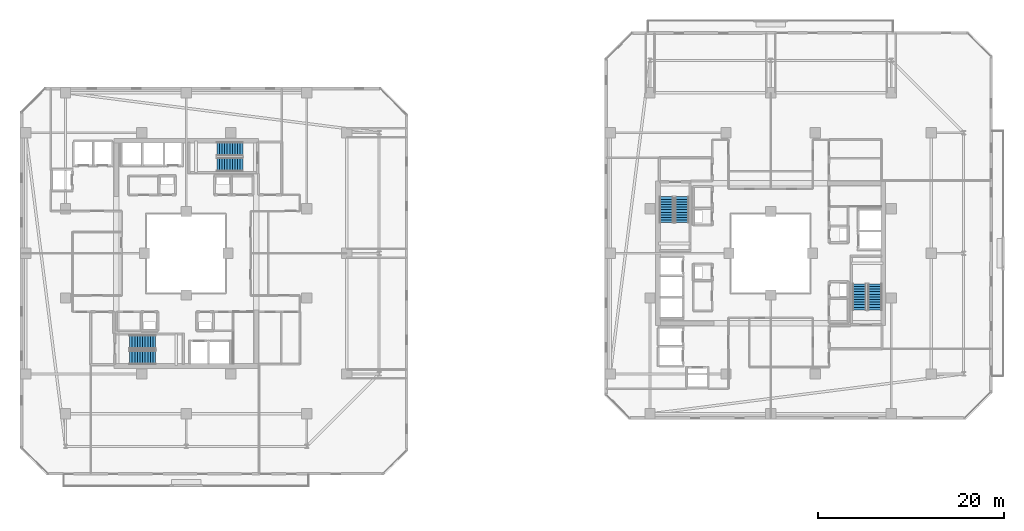
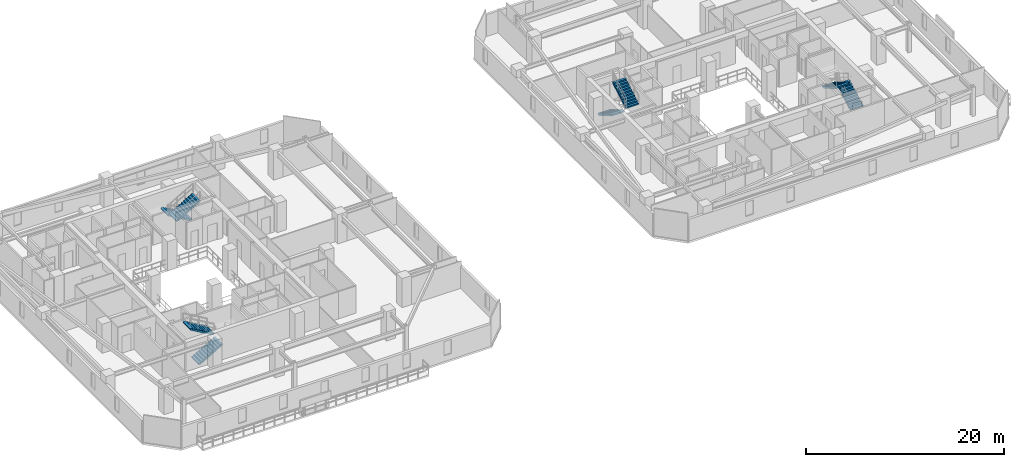
# One storey, part 27 of 33: 8 stair flights, 4 elements without a shape of their own.
"""IFC4 building model written with IfcOpenShell, lengths in metres."""

from ifc_helpers import new_model, si_unit, direction, frame, origin, place, context, subcontext, project, spatial, polyline, outline, extrude, material, type_object, element, aggregate, save


model = new_model("IFC4")

# Units and contexts
model_context = context("Model", 3, precision=1e-05, world=origin(), true_north=direction((0.0, 1.0)))
body_context = subcontext(model_context, "Body", "Model", "MODEL_VIEW")
ifc_project = project(units=[si_unit("LENGTHUNIT", "METRE"), si_unit("AREAUNIT", "SQUARE_METRE"), si_unit("VOLUMEUNIT", "CUBIC_METRE"), si_unit("PLANEANGLEUNIT", "RADIAN"), si_unit("MASSUNIT", "GRAM", prefix="KILO")], contexts=[model_context])

# Site, building, storey
site_placement = place(None, origin())
site = spatial("IfcSite", under=ifc_project, at=site_placement, CompositionType="ELEMENT")
building_placement = place(site_placement, origin())
building = spatial("IfcBuilding", under=site, at=building_placement, Name="Thornwick Lancets Civic Towers", CompositionType="ELEMENT")
storey_placement = place(building_placement, frame((0.0, 0.0, 167.10009765625)))
storey = spatial("IfcBuildingStorey", under=building, at=storey_placement, Name="L44", CompositionType="ELEMENT", Elevation=167.10009765625)

# Stair, stair flights
ifc_material = material(Name="Concrete C40/50", Category="concrete")
stair_type = type_object("IfcStairType", Name="STAIR_DL_3600", PredefinedType="HALF_TURN_STAIR", material=ifc_material)
stair_1_placement = place(storey_placement, origin())
stair_1 = element("IfcStair", 1, at=stair_1_placement, inside=storey, type_object=stair_type, Name="L44 Tower A South Exit Stair ST-A1", PredefinedType="HALF_TURN_STAIR")
stair_flight_type = type_object("IfcStairFlightType", Name="FLIGHT_3600", PredefinedType="STRAIGHT", material=ifc_material)
stair_flight_1_placement = place(storey_placement, frame((19.39990234375, 15.75, 0.0), z_axis=(0.0, 0.0, 1.0), x_axis=(1.0, 0.0, 0.0)))
stair_flight_1 = element("IfcStairFlight", 2, at=stair_flight_1_placement, type_object=stair_flight_type, Name="ST-A1 flight 1", NumberOfRisers=11, NumberOfTreads=10, PredefinedType="STRAIGHT", RiserHeight=0.163636364, TreadLength=0.28, context=body_context, shape_type="SweptSolid", body=[
    extrude(outline(polyline([(0.0, 0.0), (0.0, 0.16357421875), (0.280029296875, 0.16357421875), (0.280029296875, 0.327392578125), (0.56005859375, 0.327392578125), (0.56005859375, 0.490966796875), (0.840087890625, 0.490966796875), (0.840087890625, 0.654541015625), (1.1201171875, 0.654541015625), (1.1201171875, 0.818115234375), (1.39990234375, 0.818115234375), (1.39990234375, 0.98193359375), (1.679931640625, 0.98193359375), (1.679931640625, 1.1455078125), (1.9599609375, 1.1455078125), (1.9599609375, 1.30908203125), (2.239990234375, 1.30908203125), (2.239990234375, 1.47265625), (2.52001953125, 1.47265625), (2.52001953125, 1.636474609375), (2.800048828125, 1.636474609375), (2.800048828125, 1.800048828125), (2.800048828125, 1.462646484375), (0.297119140625, 0.0), (0.0, 0.0)])), frame((0.0, 0.75, 0.0), z_axis=(0.0, -1.0, 0.0), x_axis=(1.0, 0.0, 0.0)), (0.0, 0.0, 1.0), 1.5),
])
stair_flight_2_placement = place(storey_placement, frame((22.199951171875, 17.449951171875, 1.7998046875), z_axis=(0.0, 0.0, 1.0), x_axis=(-1.0, 0.0, 0.0)))
stair_flight_2 = element("IfcStairFlight", 3, at=stair_flight_2_placement, type_object=stair_flight_type, Name="ST-A1 flight 2", NumberOfRisers=11, NumberOfTreads=10, PredefinedType="STRAIGHT", RiserHeight=0.163636364, TreadLength=0.28, context=body_context, shape_type="SweptSolid", body=[
    extrude(outline(polyline([(0.0, 0.0), (0.0, 0.16357421875), (0.280029296875, 0.16357421875), (0.280029296875, 0.327392578125), (0.56005859375, 0.327392578125), (0.56005859375, 0.490966796875), (0.840087890625, 0.490966796875), (0.840087890625, 0.654541015625), (1.1201171875, 0.654541015625), (1.1201171875, 0.818115234375), (1.39990234375, 0.818115234375), (1.39990234375, 0.98193359375), (1.679931640625, 0.98193359375), (1.679931640625, 1.1455078125), (1.9599609375, 1.1455078125), (1.9599609375, 1.30908203125), (2.239990234375, 1.30908203125), (2.239990234375, 1.47265625), (2.52001953125, 1.47265625), (2.52001953125, 1.636474609375), (2.800048828125, 1.636474609375), (2.800048828125, 1.800048828125), (2.800048828125, 1.462646484375), (0.297119140625, 0.0), (0.0, 0.0)])), frame((0.0, 0.75, 0.0), z_axis=(0.0, -1.0, 0.0), x_axis=(1.0, 0.0, 0.0)), (0.0, 0.0, 1.0), 1.5),
])
aggregate(stair_1, [stair_flight_1, stair_flight_2])

stair_2_placement = place(storey_placement, origin())
stair_2 = element("IfcStair", 4, at=stair_2_placement, inside=storey, type_object=stair_type, Name="L44 Tower A North Exit Stair ST-A2", PredefinedType="HALF_TURN_STAIR")
stair_flight_3_placement = place(storey_placement, frame((31.60009765625, 38.25, 0.0), z_axis=(0.0, 0.0, 1.0), x_axis=(-1.0, 0.0, 0.0)))
stair_flight_3 = element("IfcStairFlight", 5, at=stair_flight_3_placement, type_object=stair_flight_type, Name="ST-A2 flight 1", NumberOfRisers=11, NumberOfTreads=10, PredefinedType="STRAIGHT", RiserHeight=0.163636364, TreadLength=0.28, context=body_context, shape_type="SweptSolid", body=[
    extrude(outline(polyline([(0.0, 0.0), (0.0, 0.16357421875), (0.280029296875, 0.16357421875), (0.280029296875, 0.327392578125), (0.56005859375, 0.327392578125), (0.56005859375, 0.490966796875), (0.840087890625, 0.490966796875), (0.840087890625, 0.654541015625), (1.1201171875, 0.654541015625), (1.1201171875, 0.818115234375), (1.39990234375, 0.818115234375), (1.39990234375, 0.98193359375), (1.679931640625, 0.98193359375), (1.679931640625, 1.1455078125), (1.9599609375, 1.1455078125), (1.9599609375, 1.30908203125), (2.239990234375, 1.30908203125), (2.239990234375, 1.47265625), (2.52001953125, 1.47265625), (2.52001953125, 1.636474609375), (2.800048828125, 1.636474609375), (2.800048828125, 1.800048828125), (2.800048828125, 1.462646484375), (0.297119140625, 0.0), (0.0, 0.0)])), frame((0.0, 0.75, 0.0), z_axis=(0.0, -1.0, 0.0), x_axis=(1.0, 0.0, 0.0)), (0.0, 0.0, 1.0), 1.5),
])
stair_flight_4_placement = place(storey_placement, frame((28.800048828125, 36.550048828125, 1.7998046875), z_axis=(0.0, 0.0, 1.0), x_axis=(1.0, 0.0, 0.0)))
stair_flight_4 = element("IfcStairFlight", 6, at=stair_flight_4_placement, type_object=stair_flight_type, Name="ST-A2 flight 2", NumberOfRisers=11, NumberOfTreads=10, PredefinedType="STRAIGHT", RiserHeight=0.163636364, TreadLength=0.28, context=body_context, shape_type="SweptSolid", body=[
    extrude(outline(polyline([(0.0, 0.0), (0.0, 0.16357421875), (0.280029296875, 0.16357421875), (0.280029296875, 0.327392578125), (0.56005859375, 0.327392578125), (0.56005859375, 0.490966796875), (0.840087890625, 0.490966796875), (0.840087890625, 0.654541015625), (1.1201171875, 0.654541015625), (1.1201171875, 0.818115234375), (1.39990234375, 0.818115234375), (1.39990234375, 0.98193359375), (1.679931640625, 0.98193359375), (1.679931640625, 1.1455078125), (1.9599609375, 1.1455078125), (1.9599609375, 1.30908203125), (2.239990234375, 1.30908203125), (2.239990234375, 1.47265625), (2.52001953125, 1.47265625), (2.52001953125, 1.636474609375), (2.800048828125, 1.636474609375), (2.800048828125, 1.800048828125), (2.800048828125, 1.462646484375), (0.297119140625, 0.0), (0.0, 0.0)])), frame((0.0, 0.75, 0.0), z_axis=(0.0, -1.0, 0.0), x_axis=(1.0, 0.0, 0.0)), (0.0, 0.0, 1.0), 1.5),
])
aggregate(stair_2, [stair_flight_3, stair_flight_4])

stair_3_placement = place(storey_placement, origin())
stair_3 = element("IfcStair", 7, at=stair_3_placement, inside=storey, type_object=stair_type, Name="L44 Tower B East Exit Stair ST-B1", PredefinedType="HALF_TURN_STAIR")
stair_flight_5_placement = place(storey_placement, frame((99.75, 20.89990234375, 0.0), z_axis=(0.0, 0.0, 1.0), x_axis=(0.0, 1.0, 0.0)))
stair_flight_5 = element("IfcStairFlight", 8, at=stair_flight_5_placement, type_object=stair_flight_type, Name="ST-B1 flight 1", NumberOfRisers=11, NumberOfTreads=10, PredefinedType="STRAIGHT", RiserHeight=0.163636364, TreadLength=0.28, context=body_context, shape_type="SweptSolid", body=[
    extrude(outline(polyline([(0.0, 0.0), (0.0, 0.16357421875), (0.280029296875, 0.16357421875), (0.280029296875, 0.327392578125), (0.56005859375, 0.327392578125), (0.56005859375, 0.490966796875), (0.840087890625, 0.490966796875), (0.840087890625, 0.654541015625), (1.1201171875, 0.654541015625), (1.1201171875, 0.818115234375), (1.39990234375, 0.818115234375), (1.39990234375, 0.98193359375), (1.679931640625, 0.98193359375), (1.679931640625, 1.1455078125), (1.9599609375, 1.1455078125), (1.9599609375, 1.30908203125), (2.239990234375, 1.30908203125), (2.239990234375, 1.47265625), (2.52001953125, 1.47265625), (2.52001953125, 1.636474609375), (2.800048828125, 1.636474609375), (2.800048828125, 1.800048828125), (2.800048828125, 1.462646484375), (0.297119140625, 0.0), (0.0, 0.0)])), frame((0.0, 0.75, 0.0), z_axis=(0.0, -1.0, 0.0), x_axis=(1.0, 0.0, 0.0)), (0.0, 0.0, 1.0), 1.5),
])
stair_flight_6_placement = place(storey_placement, frame((98.050048828125, 23.699951171875, 1.7998046875), z_axis=(0.0, 0.0, 1.0), x_axis=(0.0, -1.0, 0.0)))
stair_flight_6 = element("IfcStairFlight", 9, at=stair_flight_6_placement, type_object=stair_flight_type, Name="ST-B1 flight 2", NumberOfRisers=11, NumberOfTreads=10, PredefinedType="STRAIGHT", RiserHeight=0.163636364, TreadLength=0.28, context=body_context, shape_type="SweptSolid", body=[
    extrude(outline(polyline([(0.0, 0.0), (0.0, 0.16357421875), (0.280029296875, 0.16357421875), (0.280029296875, 0.327392578125), (0.56005859375, 0.327392578125), (0.56005859375, 0.490966796875), (0.840087890625, 0.490966796875), (0.840087890625, 0.654541015625), (1.1201171875, 0.654541015625), (1.1201171875, 0.818115234375), (1.39990234375, 0.818115234375), (1.39990234375, 0.98193359375), (1.679931640625, 0.98193359375), (1.679931640625, 1.1455078125), (1.9599609375, 1.1455078125), (1.9599609375, 1.30908203125), (2.239990234375, 1.30908203125), (2.239990234375, 1.47265625), (2.52001953125, 1.47265625), (2.52001953125, 1.636474609375), (2.800048828125, 1.636474609375), (2.800048828125, 1.800048828125), (2.800048828125, 1.462646484375), (0.297119140625, 0.0), (0.0, 0.0)])), frame((0.0, 0.75, 0.0), z_axis=(0.0, -1.0, 0.0), x_axis=(1.0, 0.0, 0.0)), (0.0, 0.0, 1.0), 1.5),
])
aggregate(stair_3, [stair_flight_5, stair_flight_6])

stair_4_placement = place(storey_placement, origin())
stair_4 = element("IfcStair", 10, at=stair_4_placement, inside=storey, type_object=stair_type, Name="L44 Tower B West Exit Stair ST-B2", PredefinedType="HALF_TURN_STAIR")
stair_flight_7_placement = place(storey_placement, frame((77.25, 33.10009765625, 0.0), z_axis=(0.0, 0.0, 1.0), x_axis=(0.0, -1.0, 0.0)))
stair_flight_7 = element("IfcStairFlight", 11, at=stair_flight_7_placement, type_object=stair_flight_type, Name="ST-B2 flight 1", NumberOfRisers=11, NumberOfTreads=10, PredefinedType="STRAIGHT", RiserHeight=0.163636364, TreadLength=0.28, context=body_context, shape_type="SweptSolid", body=[
    extrude(outline(polyline([(0.0, 0.0), (0.0, 0.16357421875), (0.280029296875, 0.16357421875), (0.280029296875, 0.327392578125), (0.56005859375, 0.327392578125), (0.56005859375, 0.490966796875), (0.840087890625, 0.490966796875), (0.840087890625, 0.654541015625), (1.1201171875, 0.654541015625), (1.1201171875, 0.818115234375), (1.39990234375, 0.818115234375), (1.39990234375, 0.98193359375), (1.679931640625, 0.98193359375), (1.679931640625, 1.1455078125), (1.9599609375, 1.1455078125), (1.9599609375, 1.30908203125), (2.239990234375, 1.30908203125), (2.239990234375, 1.47265625), (2.52001953125, 1.47265625), (2.52001953125, 1.636474609375), (2.800048828125, 1.636474609375), (2.800048828125, 1.800048828125), (2.800048828125, 1.462646484375), (0.297119140625, 0.0), (0.0, 0.0)])), frame((0.0, 0.75, 0.0), z_axis=(0.0, -1.0, 0.0), x_axis=(1.0, 0.0, 0.0)), (0.0, 0.0, 1.0), 1.5),
])
stair_flight_8_placement = place(storey_placement, frame((78.949951171875, 30.300048828125, 1.7998046875), z_axis=(0.0, 0.0, 1.0), x_axis=(0.0, 1.0, 0.0)))
stair_flight_8 = element("IfcStairFlight", 12, at=stair_flight_8_placement, type_object=stair_flight_type, Name="ST-B2 flight 2", NumberOfRisers=11, NumberOfTreads=10, PredefinedType="STRAIGHT", RiserHeight=0.163636364, TreadLength=0.28, context=body_context, shape_type="SweptSolid", body=[
    extrude(outline(polyline([(0.0, 0.0), (0.0, 0.16357421875), (0.280029296875, 0.16357421875), (0.280029296875, 0.327392578125), (0.56005859375, 0.327392578125), (0.56005859375, 0.490966796875), (0.840087890625, 0.490966796875), (0.840087890625, 0.654541015625), (1.1201171875, 0.654541015625), (1.1201171875, 0.818115234375), (1.39990234375, 0.818115234375), (1.39990234375, 0.98193359375), (1.679931640625, 0.98193359375), (1.679931640625, 1.1455078125), (1.9599609375, 1.1455078125), (1.9599609375, 1.30908203125), (2.239990234375, 1.30908203125), (2.239990234375, 1.47265625), (2.52001953125, 1.47265625), (2.52001953125, 1.636474609375), (2.800048828125, 1.636474609375), (2.800048828125, 1.800048828125), (2.800048828125, 1.462646484375), (0.297119140625, 0.0), (0.0, 0.0)])), frame((0.0, 0.75, 0.0), z_axis=(0.0, -1.0, 0.0), x_axis=(1.0, 0.0, 0.0)), (0.0, 0.0, 1.0), 1.5),
])
aggregate(stair_4, [stair_flight_7, stair_flight_8])

save(model, "model.ifc")
